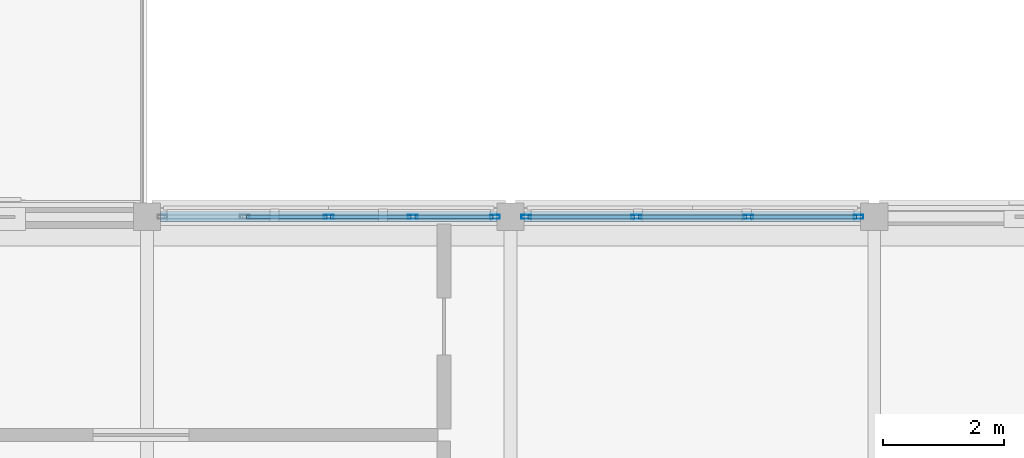
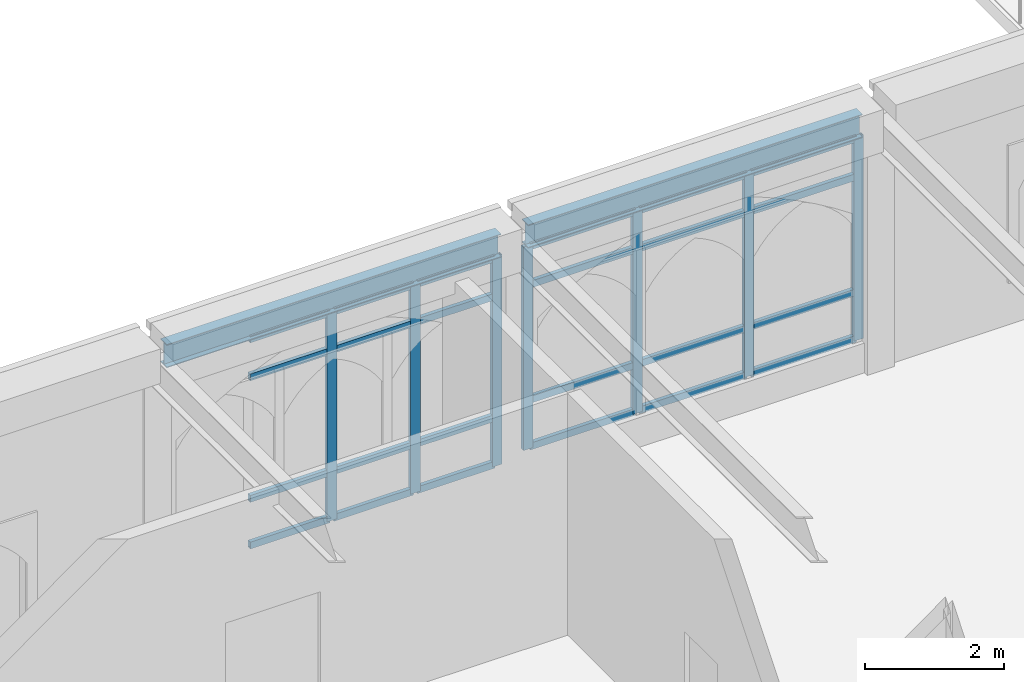
# One storey, part 19 of 59: 31 members, 2 beams, 2 elements without a shape of their own.
"""IFC4 building model written with IfcOpenShell, lengths in metres."""

from ifc_helpers import new_model, si_unit, direction, frame, origin, origin_2d, place, context, subcontext, project, spatial, hollow_rectangle, i_section, extrude, material, layer, layer_set, material_profile, profile_set, type_object, element, aggregate, save


model = new_model("IFC4")

# Units and contexts
model_context = context("Model", 3, precision=1e-05, world=origin(), true_north=direction((0.0, 1.0)))
body_context = subcontext(model_context, "Body", "Model", "MODEL_VIEW")
ifc_project = project(units=[si_unit("LENGTHUNIT", "METRE"), si_unit("AREAUNIT", "SQUARE_METRE"), si_unit("VOLUMEUNIT", "CUBIC_METRE"), si_unit("PLANEANGLEUNIT", "RADIAN"), si_unit("MASSUNIT", "GRAM", prefix="KILO")], contexts=[model_context])

# Site, building, storey
site_placement = place(None, origin())
site = spatial("IfcSite", under=ifc_project, at=site_placement, CompositionType="ELEMENT")
building_placement = place(site_placement, origin())
building = spatial("IfcBuilding", under=site, at=building_placement, Name="Cumevento Cable Car Station", CompositionType="ELEMENT")
storey_placement = place(building_placement, frame((0.0, 0.0, 18.0)))
storey = spatial("IfcBuildingStorey", under=building, at=storey_placement, Name="L05", CompositionType="ELEMENT", Elevation=18.0)

# Curtain wall, members
ifc_material_1 = material(Name="Anodised Bronze Aluminium AW-6063-T6", Category="aluminium")
ifc_layer_1 = layer(ifc_material_1, 0.238037109375)
ifc_layer_set_1 = layer_set([ifc_layer_1], Name="Anodised Bronze Aluminium AW-6063-T6")
curtain_wall_type_1 = type_object("IfcCurtainWallType", Name="Lancet Curtain Wall CW-14 1570", PredefinedType="NOTDEFINED", material=ifc_layer_set_1)
curtain_wall_1_placement = place(storey_placement, origin())
curtain_wall_1 = element("IfcCurtainWall", 1, at=curtain_wall_1_placement, inside=storey, type_object=curtain_wall_type_1, Name="Lancet Curtain Wall CW-14 L05 #205", PredefinedType="NOTDEFINED")
ifc_material_2 = material(Name="Anodised Bronze Aluminium AW-6063-T6", Category="aluminium")
ifc_material_profile_1 = material_profile(ifc_material_2, hollow_rectangle(XDim=0.06494140625, YDim=0.159912109375, WallThickness=0.00390625, at=origin_2d()), Name="ALUM65x160x4")
ifc_profile_set_1 = profile_set([ifc_material_profile_1], Name="Anodised Bronze Aluminium AW-6063-T6")
member_type_1 = type_object("IfcMemberType", Name="Curtain Mullion CWM-01 ALUM65x160x4", PredefinedType="MULLION", material=ifc_profile_set_1)
member_1_placement = place(storey_placement, frame((37.0, 56.5, 0.409912109375), z_axis=(0.0, 0.0, 1.0), x_axis=(0.0, 1.0, 0.0)))
member_1 = element("IfcMember", 2, at=member_1_placement, type_object=member_type_1, Name="CW-14 mullion 3", PredefinedType="MULLION", context=body_context, shape_type="SweptSolid", body=[
    extrude(hollow_rectangle(XDim=0.06494140625, YDim=0.159912109375, WallThickness=0.00390625, at=origin_2d()), origin(), (0.0, 0.0, 1.0), 3.68310546875),
])
member_2_placement = place(storey_placement, frame((38.387451171875, 56.5, 0.409912109375), z_axis=(0.0, 0.0, 1.0), x_axis=(0.0, 1.0, 0.0)))
member_2 = element("IfcMember", 3, at=member_2_placement, type_object=member_type_1, Name="CW-14 mullion 4", PredefinedType="MULLION", context=body_context, shape_type="SweptSolid", body=[
    extrude(hollow_rectangle(XDim=0.06494140625, YDim=0.159912109375, WallThickness=0.00390625, at=origin_2d()), origin(), (0.0, 0.0, 1.0), 3.68310546875),
])
member_3_placement = place(storey_placement, frame((39.742431640625, 56.5, 0.409912109375), z_axis=(0.0, 0.0, 1.0), x_axis=(0.0, 1.0, 0.0)))
member_3 = element("IfcMember", 4, at=member_3_placement, type_object=member_type_1, Name="CW-14 mullion 5", PredefinedType="MULLION", context=body_context, shape_type="SweptSolid", body=[
    extrude(hollow_rectangle(XDim=0.06494140625, YDim=0.159912109375, WallThickness=0.00390625, at=origin_2d()), origin(), (0.0, 0.0, 1.0), 3.68310546875),
])

ifc_material_3 = material(Name="Anodised Bronze Aluminium AW-6063-T6", Category="aluminium")
ifc_layer_2 = layer(ifc_material_3, 0.25)
ifc_layer_set_2 = layer_set([ifc_layer_2], Name="Anodised Bronze Aluminium AW-6063-T6")
curtain_wall_type_2 = type_object("IfcCurtainWallType", Name="Lancet Curtain Wall CW-16 1650", PredefinedType="NOTDEFINED", material=ifc_layer_set_2)
curtain_wall_2_placement = place(storey_placement, origin())
curtain_wall_2 = element("IfcCurtainWall", 5, at=curtain_wall_2_placement, inside=storey, type_object=curtain_wall_type_2, Name="Lancet Curtain Wall CW-16 L05 #207", PredefinedType="NOTDEFINED")
member_4_placement = place(storey_placement, frame((40.257568359375, 56.5, 0.52001953125), z_axis=(0.0, 0.0, 1.0), x_axis=(0.0, 1.0, 0.0)))
member_4 = element("IfcMember", 6, at=member_4_placement, type_object=member_type_1, Name="CW-16 mullion 1", PredefinedType="MULLION", context=body_context, shape_type="SweptSolid", body=[
    extrude(hollow_rectangle(XDim=0.06494140625, YDim=0.159912109375, WallThickness=0.00390625, at=origin_2d()), origin(), (0.0, 0.0, 1.0), 3.572998046875),
])
member_5_placement = place(storey_placement, frame((42.074951171875, 56.5, 0.52001953125), z_axis=(0.0, 0.0, 1.0), x_axis=(0.0, 1.0, 0.0)))
member_5 = element("IfcMember", 7, at=member_5_placement, type_object=member_type_1, Name="CW-16 mullion 2", PredefinedType="MULLION", context=body_context, shape_type="SweptSolid", body=[
    extrude(hollow_rectangle(XDim=0.06494140625, YDim=0.159912109375, WallThickness=0.00390625, at=origin_2d()), origin(), (0.0, 0.0, 1.0), 3.572998046875),
])
member_6_placement = place(storey_placement, frame((43.925048828125, 56.5, 0.52001953125), z_axis=(0.0, 0.0, 1.0), x_axis=(0.0, 1.0, 0.0)))
member_6 = element("IfcMember", 8, at=member_6_placement, type_object=member_type_1, Name="CW-16 mullion 3", PredefinedType="MULLION", context=body_context, shape_type="SweptSolid", body=[
    extrude(hollow_rectangle(XDim=0.06494140625, YDim=0.159912109375, WallThickness=0.00390625, at=origin_2d()), origin(), (0.0, 0.0, 1.0), 3.572998046875),
])
member_7_placement = place(storey_placement, frame((45.742431640625, 56.5, 0.52001953125), z_axis=(0.0, 0.0, 1.0), x_axis=(0.0, 1.0, 0.0)))
member_7 = element("IfcMember", 9, at=member_7_placement, type_object=member_type_1, Name="CW-16 mullion 4", PredefinedType="MULLION", context=body_context, shape_type="SweptSolid", body=[
    extrude(hollow_rectangle(XDim=0.06494140625, YDim=0.159912109375, WallThickness=0.00390625, at=origin_2d()), origin(), (0.0, 0.0, 1.0), 3.572998046875),
])

# Member
ifc_material_4 = material(Name="Anodised Bronze Aluminium AW-6063-T6", Category="aluminium")
ifc_material_profile_2 = material_profile(ifc_material_4, hollow_rectangle(XDim=0.06494140625, YDim=0.1201171875, WallThickness=0.00390625, at=origin_2d()), Name="ALUT65x120x4")
ifc_profile_set_2 = profile_set([ifc_material_profile_2], Name="Anodised Bronze Aluminium AW-6063-T6")
member_type_2 = type_object("IfcMemberType", Name="Curtain Transom CWT-01 ALUT65x120x4", PredefinedType="USERDEFINED", material=ifc_profile_set_2)
member_8_placement = place(storey_placement, frame((35.64501953125, 56.5, 0.4423828125), z_axis=(1.0, 0.0, 0.0), x_axis=(0.0, 1.0, 0.0)))
member_8 = element("IfcMember", 10, at=member_8_placement, type_object=member_type_2, Name="CW-14 transom 2.1", ObjectType="TRANSOM", PredefinedType="USERDEFINED", context=body_context, shape_type="SweptSolid", body=[
    extrude(hollow_rectangle(XDim=0.06494140625, YDim=0.1201171875, WallThickness=0.00390625, at=origin_2d()), origin(), (0.0, 0.0, 1.0), 1.322509765625),
])

member_9_placement = place(storey_placement, frame((35.64501953125, 56.5, 1.260009765625), z_axis=(1.0, 0.0, 0.0), x_axis=(0.0, 1.0, 0.0)))
member_9 = element("IfcMember", 11, at=member_9_placement, type_object=member_type_2, Name="CW-14 transom 2.2", ObjectType="TRANSOM", PredefinedType="USERDEFINED", context=body_context, shape_type="SweptSolid", body=[
    extrude(hollow_rectangle(XDim=0.06494140625, YDim=0.1201171875, WallThickness=0.00390625, at=origin_2d()), origin(), (0.0, 0.0, 1.0), 1.322509765625),
])

member_10_placement = place(storey_placement, frame((35.64501953125, 56.5, 3.39306640625), z_axis=(1.0, 0.0, 0.0), x_axis=(0.0, 1.0, 0.0)))
member_10 = element("IfcMember", 12, at=member_10_placement, type_object=member_type_2, Name="CW-14 transom 2.3", ObjectType="TRANSOM", PredefinedType="USERDEFINED", context=body_context, shape_type="SweptSolid", body=[
    extrude(hollow_rectangle(XDim=0.06494140625, YDim=0.1201171875, WallThickness=0.00390625, at=origin_2d()), origin(), (0.0, 0.0, 1.0), 1.322509765625),
])

member_11_placement = place(storey_placement, frame((35.64501953125, 56.5, 4.060546875), z_axis=(1.0, 0.0, 0.0), x_axis=(0.0, 1.0, 0.0)))
member_11 = element("IfcMember", 13, at=member_11_placement, type_object=member_type_2, Name="CW-14 transom 2.4", ObjectType="TRANSOM", PredefinedType="USERDEFINED", context=body_context, shape_type="SweptSolid", body=[
    extrude(hollow_rectangle(XDim=0.06494140625, YDim=0.1201171875, WallThickness=0.00390625, at=origin_2d()), origin(), (0.0, 0.0, 1.0), 1.322509765625),
])

member_12_placement = place(storey_placement, frame((37.032470703125, 56.5, 0.4423828125), z_axis=(1.0, 0.0, 0.0), x_axis=(0.0, 1.0, 0.0)))
member_12 = element("IfcMember", 14, at=member_12_placement, type_object=member_type_2, Name="CW-14 transom 3.1", ObjectType="TRANSOM", PredefinedType="USERDEFINED", context=body_context, shape_type="SweptSolid", body=[
    extrude(hollow_rectangle(XDim=0.06494140625, YDim=0.1201171875, WallThickness=0.00390625, at=origin_2d()), origin(), (0.0, 0.0, 1.0), 1.322509765625),
])

member_13_placement = place(storey_placement, frame((37.032470703125, 56.5, 1.260009765625), z_axis=(1.0, 0.0, 0.0), x_axis=(0.0, 1.0, 0.0)))
member_13 = element("IfcMember", 15, at=member_13_placement, type_object=member_type_2, Name="CW-14 transom 3.2", ObjectType="TRANSOM", PredefinedType="USERDEFINED", context=body_context, shape_type="SweptSolid", body=[
    extrude(hollow_rectangle(XDim=0.06494140625, YDim=0.1201171875, WallThickness=0.00390625, at=origin_2d()), origin(), (0.0, 0.0, 1.0), 1.322509765625),
])

member_14_placement = place(storey_placement, frame((37.032470703125, 56.5, 3.39306640625), z_axis=(1.0, 0.0, 0.0), x_axis=(0.0, 1.0, 0.0)))
member_14 = element("IfcMember", 16, at=member_14_placement, type_object=member_type_2, Name="CW-14 transom 3.3", ObjectType="TRANSOM", PredefinedType="USERDEFINED", context=body_context, shape_type="SweptSolid", body=[
    extrude(hollow_rectangle(XDim=0.06494140625, YDim=0.1201171875, WallThickness=0.00390625, at=origin_2d()), origin(), (0.0, 0.0, 1.0), 1.322509765625),
])

member_15_placement = place(storey_placement, frame((37.032470703125, 56.5, 4.060546875), z_axis=(1.0, 0.0, 0.0), x_axis=(0.0, 1.0, 0.0)))
member_15 = element("IfcMember", 17, at=member_15_placement, type_object=member_type_2, Name="CW-14 transom 3.4", ObjectType="TRANSOM", PredefinedType="USERDEFINED", context=body_context, shape_type="SweptSolid", body=[
    extrude(hollow_rectangle(XDim=0.06494140625, YDim=0.1201171875, WallThickness=0.00390625, at=origin_2d()), origin(), (0.0, 0.0, 1.0), 1.322509765625),
])

member_16_placement = place(storey_placement, frame((38.419921875, 56.5, 0.4423828125), z_axis=(1.0, 0.0, 0.0), x_axis=(0.0, 1.0, 0.0)))
member_16 = element("IfcMember", 18, at=member_16_placement, type_object=member_type_2, Name="CW-14 transom 4.1", ObjectType="TRANSOM", PredefinedType="USERDEFINED", context=body_context, shape_type="SweptSolid", body=[
    extrude(hollow_rectangle(XDim=0.06494140625, YDim=0.1201171875, WallThickness=0.00390625, at=origin_2d()), origin(), (0.0, 0.0, 1.0), 1.2900390625),
])

member_17_placement = place(storey_placement, frame((38.419921875, 56.5, 1.260009765625), z_axis=(1.0, 0.0, 0.0), x_axis=(0.0, 1.0, 0.0)))
member_17 = element("IfcMember", 19, at=member_17_placement, type_object=member_type_2, Name="CW-14 transom 4.2", ObjectType="TRANSOM", PredefinedType="USERDEFINED", context=body_context, shape_type="SweptSolid", body=[
    extrude(hollow_rectangle(XDim=0.06494140625, YDim=0.1201171875, WallThickness=0.00390625, at=origin_2d()), origin(), (0.0, 0.0, 1.0), 1.2900390625),
])

member_18_placement = place(storey_placement, frame((38.419921875, 56.5, 3.39306640625), z_axis=(1.0, 0.0, 0.0), x_axis=(0.0, 1.0, 0.0)))
member_18 = element("IfcMember", 20, at=member_18_placement, type_object=member_type_2, Name="CW-14 transom 4.3", ObjectType="TRANSOM", PredefinedType="USERDEFINED", context=body_context, shape_type="SweptSolid", body=[
    extrude(hollow_rectangle(XDim=0.06494140625, YDim=0.1201171875, WallThickness=0.00390625, at=origin_2d()), origin(), (0.0, 0.0, 1.0), 1.2900390625),
])

member_19_placement = place(storey_placement, frame((38.419921875, 56.5, 4.060546875), z_axis=(1.0, 0.0, 0.0), x_axis=(0.0, 1.0, 0.0)))
member_19 = element("IfcMember", 21, at=member_19_placement, type_object=member_type_2, Name="CW-14 transom 4.4", ObjectType="TRANSOM", PredefinedType="USERDEFINED", context=body_context, shape_type="SweptSolid", body=[
    extrude(hollow_rectangle(XDim=0.06494140625, YDim=0.1201171875, WallThickness=0.00390625, at=origin_2d()), origin(), (0.0, 0.0, 1.0), 1.2900390625),
])

aggregate(curtain_wall_1, [member_1, member_2, member_3, member_8, member_9, member_10, member_11, member_12, member_13, member_14, member_15, member_16, member_17, member_18, member_19])

member_20_placement = place(storey_placement, frame((40.2900390625, 56.5, 0.552490234375), z_axis=(1.0, 0.0, 0.0), x_axis=(0.0, 1.0, 0.0)))
member_20 = element("IfcMember", 22, at=member_20_placement, type_object=member_type_2, Name="CW-16 transom 1.1", ObjectType="TRANSOM", PredefinedType="USERDEFINED", context=body_context, shape_type="SweptSolid", body=[
    extrude(hollow_rectangle(XDim=0.06494140625, YDim=0.1201171875, WallThickness=0.00390625, at=origin_2d()), origin(), (0.0, 0.0, 1.0), 1.75244140625),
])

member_21_placement = place(storey_placement, frame((40.2900390625, 56.5, 1.3701171875), z_axis=(1.0, 0.0, 0.0), x_axis=(0.0, 1.0, 0.0)))
member_21 = element("IfcMember", 23, at=member_21_placement, type_object=member_type_2, Name="CW-16 transom 1.2", ObjectType="TRANSOM", PredefinedType="USERDEFINED", context=body_context, shape_type="SweptSolid", body=[
    extrude(hollow_rectangle(XDim=0.06494140625, YDim=0.1201171875, WallThickness=0.00390625, at=origin_2d()), origin(), (0.0, 0.0, 1.0), 1.75244140625),
])

member_22_placement = place(storey_placement, frame((40.2900390625, 56.5, 3.39306640625), z_axis=(1.0, 0.0, 0.0), x_axis=(0.0, 1.0, 0.0)))
member_22 = element("IfcMember", 24, at=member_22_placement, type_object=member_type_2, Name="CW-16 transom 1.3", ObjectType="TRANSOM", PredefinedType="USERDEFINED", context=body_context, shape_type="SweptSolid", body=[
    extrude(hollow_rectangle(XDim=0.06494140625, YDim=0.1201171875, WallThickness=0.00390625, at=origin_2d()), origin(), (0.0, 0.0, 1.0), 1.75244140625),
])

member_23_placement = place(storey_placement, frame((40.2900390625, 56.5, 4.060546875), z_axis=(1.0, 0.0, 0.0), x_axis=(0.0, 1.0, 0.0)))
member_23 = element("IfcMember", 25, at=member_23_placement, type_object=member_type_2, Name="CW-16 transom 1.4", ObjectType="TRANSOM", PredefinedType="USERDEFINED", context=body_context, shape_type="SweptSolid", body=[
    extrude(hollow_rectangle(XDim=0.06494140625, YDim=0.1201171875, WallThickness=0.00390625, at=origin_2d()), origin(), (0.0, 0.0, 1.0), 1.75244140625),
])

member_24_placement = place(storey_placement, frame((42.107421875, 56.5, 0.552490234375), z_axis=(1.0, 0.0, 0.0), x_axis=(0.0, 1.0, 0.0)))
member_24 = element("IfcMember", 26, at=member_24_placement, type_object=member_type_2, Name="CW-16 transom 2.1", ObjectType="TRANSOM", PredefinedType="USERDEFINED", context=body_context, shape_type="SweptSolid", body=[
    extrude(hollow_rectangle(XDim=0.06494140625, YDim=0.1201171875, WallThickness=0.00390625, at=origin_2d()), origin(), (0.0, 0.0, 1.0), 1.78515625),
])

member_25_placement = place(storey_placement, frame((42.107421875, 56.5, 1.3701171875), z_axis=(1.0, 0.0, 0.0), x_axis=(0.0, 1.0, 0.0)))
member_25 = element("IfcMember", 27, at=member_25_placement, type_object=member_type_2, Name="CW-16 transom 2.2", ObjectType="TRANSOM", PredefinedType="USERDEFINED", context=body_context, shape_type="SweptSolid", body=[
    extrude(hollow_rectangle(XDim=0.06494140625, YDim=0.1201171875, WallThickness=0.00390625, at=origin_2d()), origin(), (0.0, 0.0, 1.0), 1.78515625),
])

member_26_placement = place(storey_placement, frame((42.107421875, 56.5, 3.39306640625), z_axis=(1.0, 0.0, 0.0), x_axis=(0.0, 1.0, 0.0)))
member_26 = element("IfcMember", 28, at=member_26_placement, type_object=member_type_2, Name="CW-16 transom 2.3", ObjectType="TRANSOM", PredefinedType="USERDEFINED", context=body_context, shape_type="SweptSolid", body=[
    extrude(hollow_rectangle(XDim=0.06494140625, YDim=0.1201171875, WallThickness=0.00390625, at=origin_2d()), origin(), (0.0, 0.0, 1.0), 1.78515625),
])

member_27_placement = place(storey_placement, frame((42.107421875, 56.5, 4.060546875), z_axis=(1.0, 0.0, 0.0), x_axis=(0.0, 1.0, 0.0)))
member_27 = element("IfcMember", 29, at=member_27_placement, type_object=member_type_2, Name="CW-16 transom 2.4", ObjectType="TRANSOM", PredefinedType="USERDEFINED", context=body_context, shape_type="SweptSolid", body=[
    extrude(hollow_rectangle(XDim=0.06494140625, YDim=0.1201171875, WallThickness=0.00390625, at=origin_2d()), origin(), (0.0, 0.0, 1.0), 1.78515625),
])

member_28_placement = place(storey_placement, frame((43.95751953125, 56.5, 0.552490234375), z_axis=(1.0, 0.0, 0.0), x_axis=(0.0, 1.0, 0.0)))
member_28 = element("IfcMember", 30, at=member_28_placement, type_object=member_type_2, Name="CW-16 transom 3.1", ObjectType="TRANSOM", PredefinedType="USERDEFINED", context=body_context, shape_type="SweptSolid", body=[
    extrude(hollow_rectangle(XDim=0.06494140625, YDim=0.1201171875, WallThickness=0.00390625, at=origin_2d()), origin(), (0.0, 0.0, 1.0), 1.75244140625),
])

member_29_placement = place(storey_placement, frame((43.95751953125, 56.5, 1.3701171875), z_axis=(1.0, 0.0, 0.0), x_axis=(0.0, 1.0, 0.0)))
member_29 = element("IfcMember", 31, at=member_29_placement, type_object=member_type_2, Name="CW-16 transom 3.2", ObjectType="TRANSOM", PredefinedType="USERDEFINED", context=body_context, shape_type="SweptSolid", body=[
    extrude(hollow_rectangle(XDim=0.06494140625, YDim=0.1201171875, WallThickness=0.00390625, at=origin_2d()), origin(), (0.0, 0.0, 1.0), 1.75244140625),
])

member_30_placement = place(storey_placement, frame((43.95751953125, 56.5, 3.39306640625), z_axis=(1.0, 0.0, 0.0), x_axis=(0.0, 1.0, 0.0)))
member_30 = element("IfcMember", 32, at=member_30_placement, type_object=member_type_2, Name="CW-16 transom 3.3", ObjectType="TRANSOM", PredefinedType="USERDEFINED", context=body_context, shape_type="SweptSolid", body=[
    extrude(hollow_rectangle(XDim=0.06494140625, YDim=0.1201171875, WallThickness=0.00390625, at=origin_2d()), origin(), (0.0, 0.0, 1.0), 1.75244140625),
])

member_31_placement = place(storey_placement, frame((43.95751953125, 56.5, 4.060546875), z_axis=(1.0, 0.0, 0.0), x_axis=(0.0, 1.0, 0.0)))
member_31 = element("IfcMember", 33, at=member_31_placement, type_object=member_type_2, Name="CW-16 transom 3.4", ObjectType="TRANSOM", PredefinedType="USERDEFINED", context=body_context, shape_type="SweptSolid", body=[
    extrude(hollow_rectangle(XDim=0.06494140625, YDim=0.1201171875, WallThickness=0.00390625, at=origin_2d()), origin(), (0.0, 0.0, 1.0), 1.75244140625),
])

aggregate(curtain_wall_2, [member_4, member_5, member_6, member_7, member_20, member_21, member_22, member_23, member_24, member_25, member_26, member_27, member_28, member_29, member_30, member_31])

# Beams
ifc_material_5 = material(Name="Steel ASTM A572 Grade 50", Category="steel")
ifc_material_profile_3 = material_profile(ifc_material_5, i_section(OverallWidth=0.177978515625, OverallDepth=0.406982421875, WebThickness=0.0078125, FlangeThickness=0.0126953125, at=origin_2d()), Name="W410x60.0")
ifc_profile_set_3 = profile_set([ifc_material_profile_3], Name="Steel ASTM A572 Grade 50")
beam_type = type_object("IfcBeamType", Name="Structural Spandrel SP-01 W410x60.0", PredefinedType="SPANDREL", material=ifc_profile_set_3)
for number, where, z_axis, x_axis, name in (
    (34, (34.22509765625, 56.5, 4.29638671875), (1.0, 0.0, 0.0), (0.0, 1.0, 0.0), "Beam SP-01 L05 #1597"),
    (35, (40.22509765625, 56.5, 4.29638671875), (1.0, 0.0, 0.0), (0.0, 1.0, 0.0), "Beam SP-01 L05 #1598"),
):
    element("IfcBeam", number, at=place(storey_placement, frame(where, z_axis=z_axis, x_axis=x_axis)), inside=storey, type_object=beam_type, Name=name, PredefinedType="SPANDREL", context=body_context, shape_type="SweptSolid", body=[
        extrude(i_section(OverallWidth=0.177978515625, OverallDepth=0.406982421875, WebThickness=0.0078125, FlangeThickness=0.0126953125, at=origin_2d()), origin(), (0.0, 0.0, 1.0), 5.5498046875),
    ])

save(model, "model.ifc")
